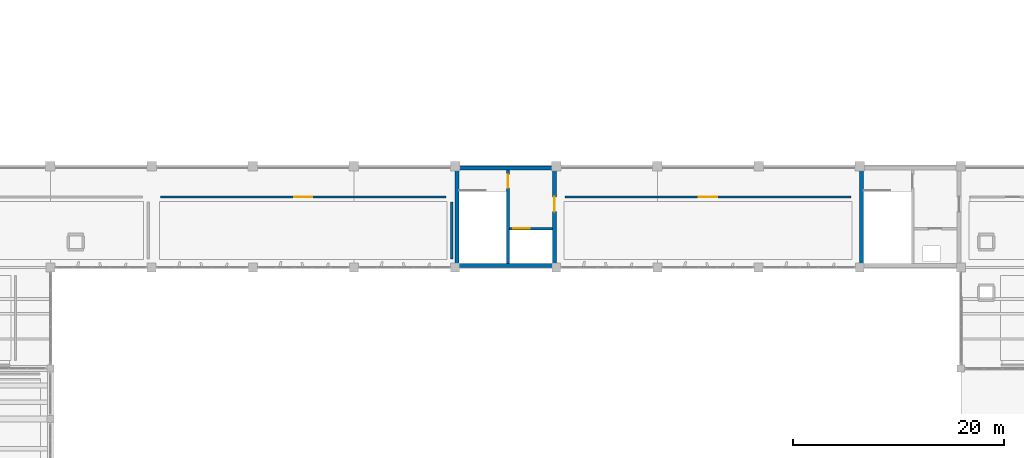
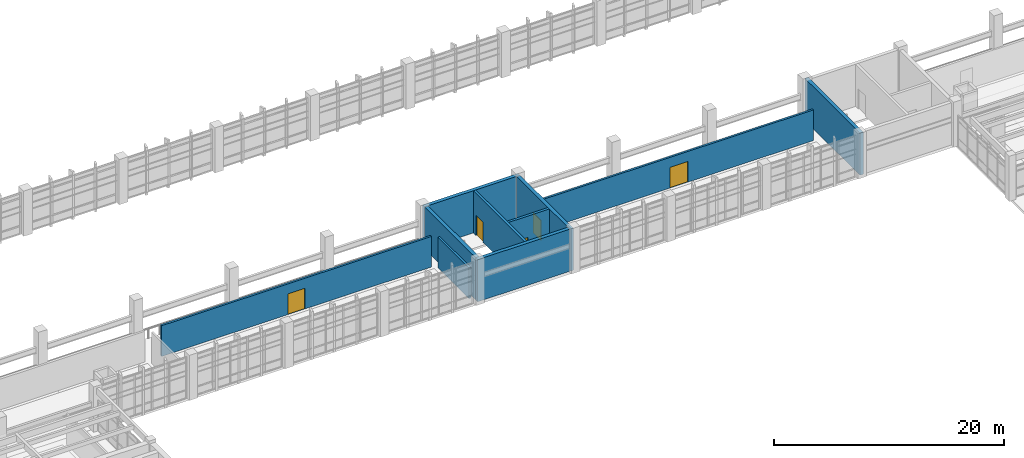
# One storey, part 69 of 86: 10 walls, 5 doors, 5 openings.
"""IFC4 building model written with IfcOpenShell, lengths in metres."""

from ifc_helpers import new_model, si_unit, direction, frame, frame_2d, origin, place, context, subcontext, project, spatial, rectangle, extrude, material, layer, layer_set, type_object, element, fill, save


model = new_model("IFC4")

# Units and contexts
model_context = context("Model", 3, precision=1e-05, world=origin(), true_north=direction((0.0, 1.0)))
body_context = subcontext(model_context, "Body", "Model", "MODEL_VIEW")
ifc_project = project(units=[si_unit("LENGTHUNIT", "METRE"), si_unit("AREAUNIT", "SQUARE_METRE"), si_unit("VOLUMEUNIT", "CUBIC_METRE"), si_unit("PLANEANGLEUNIT", "RADIAN"), si_unit("MASSUNIT", "GRAM", prefix="KILO")], contexts=[model_context])

# Site, building, storey
site_placement = place(None, origin())
site = spatial("IfcSite", under=ifc_project, at=site_placement, CompositionType="ELEMENT")
building_placement = place(site_placement, origin())
building = spatial("IfcBuilding", under=site, at=building_placement, Name="Kolvemor Railside Polytechnic", CompositionType="ELEMENT")
storey_placement = place(building_placement, frame((0.0, 0.0, 5.39990234375)))
storey = spatial("IfcBuildingStorey", under=building, at=storey_placement, Name="L01", CompositionType="ELEMENT", Elevation=5.39990234375)

# Walls
ifc_material_1 = material(Name="Concrete C40/50", Category="concrete")
ifc_layer_1 = layer(ifc_material_1, 0.35009765625, Name="WL-CORE-350")
ifc_layer_set_1 = layer_set([ifc_layer_1], Name="Concrete C40/50")
wall_type_1 = type_object("IfcWallType", Name="WL-CORE-350", PredefinedType="SHEAR", material=ifc_layer_set_1)
for number, where, z_axis, x_axis, name in (
    (1, (86.39990234375, 100.625, 0.0), (0.0, 0.0, 1.0), (1.0, 0.0, 0.0), "CORE-8 North Core Wall L01"),
    (2, (86.39990234375, 91.375, 0.0), (0.0, 0.0, 1.0), (1.0, 0.0, 0.0), "CORE-8 South Core Wall L01"),
    (3, (86.574951171875, 91.199951171875, 0.0), (0.0, 0.0, 1.0), (0.0, 1.0, 0.0), "CORE-8 West Core Wall L01"),
):
    element("IfcWall", number, at=place(storey_placement, frame(where, z_axis=z_axis, x_axis=x_axis)), inside=storey, type_object=wall_type_1, Name=name, PredefinedType="SHEAR", context=body_context, shape_type="SweptSolid", body=[
        extrude(rectangle(XDim=9.60009765625, YDim=0.35009765625, at=frame_2d((4.800048828125, 0.0))), origin(), (0.0, 0.0, 1.0), 4.47998046875),
    ])

# Wall, opening, door
wall_1_placement = place(storey_placement, frame((95.824951171875, 91.199951171875, 0.0), z_axis=(0.0, 0.0, 1.0), x_axis=(0.0, 1.0, 0.0)))
wall_1 = element("IfcWall", 4, at=wall_1_placement, inside=storey, type_object=wall_type_1, Name="CORE-8 East Core Wall L01", PredefinedType="SHEAR", context=body_context, shape_type="SweptSolid", body=[
    extrude(rectangle(XDim=9.60009765625, YDim=0.35009765625, at=frame_2d((4.800048828125, 0.0))), origin(), (0.0, 0.0, 1.0), 4.47998046875),
])
opening_1_placement = place(wall_1_placement, frame((5.300048828125, 0.0, 0.0)))
opening_1 = element("IfcOpeningElement", 5, at=opening_1_placement, cuts=wall_1, Name="Opening D-LOB-8-L01", PredefinedType="OPENING", context=body_context, shape_type="SweptSolid", body=[
    extrude(rectangle(XDim=1.39990234375, YDim=2.14990234375, at=frame_2d((0.699951171875, 1.074951171875))), frame((0.0, 0.18505859375, 0.0), z_axis=(0.0, -1.0, 0.0), x_axis=(1.0, 0.0, 0.0)), (0.0, 0.0, 1.0), 0.3701171875),
])
ifc_material_2 = material(Name="Fire-rated hardwood and brushed stainless-steel door", Category="steel")
door_type_1 = type_object("IfcDoorType", Name="DR-FD60-140x215", OperationType="NOTDEFINED", PredefinedType="DOOR", material=ifc_material_2)
door_1_placement = place(opening_1_placement, origin())
door_1 = element("IfcDoor", 6, at=door_1_placement, inside=storey, type_object=door_type_1, Name="Core Lobby Fire Door CORE-8 L01", OperationType="SINGLE_SWING_RIGHT", OverallHeight=2.14990234375, OverallWidth=1.39990234375, PredefinedType="DOOR", context=body_context, shape_type="SweptSolid", body=[
    extrude(rectangle(XDim=1.39990234375, YDim=2.14990234375, at=frame_2d((0.699951171875, 1.074951171875))), frame((0.0, 0.02490234375, 0.0), z_axis=(0.0, -1.0, 0.0), x_axis=(1.0, 0.0, 0.0)), (0.0, 0.0, 1.0), 0.050048828125),
])
fill(opening_1, door_1)

# Wall
wall_2_placement = place(storey_placement, frame((124.97509765625, 91.199951171875, 0.0), z_axis=(0.0, 0.0, 1.0), x_axis=(0.0, 1.0, 0.0)))
element("IfcWall", 7, at=wall_2_placement, inside=storey, type_object=wall_type_1, Name="CORE-9 West Core Wall L01", PredefinedType="SHEAR", context=body_context, shape_type="SweptSolid", body=[
    extrude(rectangle(XDim=9.60009765625, YDim=0.35009765625, at=frame_2d((4.800048828125, 0.0))), origin(), (0.0, 0.0, 1.0), 4.47998046875),
])

# Wall, opening, door
ifc_material_3 = material(Name="Acoustic concrete blockwork and gypsum", Category="masonry")
ifc_layer_2 = layer(ifc_material_3, 0.199951171875, Name="WL-PART-200")
ifc_layer_set_2 = layer_set([ifc_layer_2], Name="Acoustic concrete blockwork and gypsum")
wall_type_2 = type_object("IfcWallType", Name="WL-PART-200", PredefinedType="PARTITIONING", material=ifc_layer_set_2)
wall_3_placement = place(storey_placement, frame((58.449951171875, 97.8798828125, 0.0), z_axis=(0.0, 0.0, 1.0), x_axis=(1.0, 0.0, 0.0)))
wall_3 = element("IfcWall", 8, at=wall_3_placement, inside=storey, type_object=wall_type_2, Name="Partition Wall L01-0079", PredefinedType="PARTITIONING", context=body_context, shape_type="SweptSolid", body=[
    extrude(rectangle(XDim=27.10009765625, YDim=0.199951171875, at=frame_2d((13.550048828125, 0.0))), origin(), (0.0, 0.0, 1.0), 3.260009765625),
])
opening_2_placement = place(wall_3_placement, frame((12.699951171875, 0.0, 0.0)))
opening_2 = element("IfcOpeningElement", 9, at=opening_2_placement, cuts=wall_3, Name="Opening D-01045", PredefinedType="OPENING", context=body_context, shape_type="SweptSolid", body=[
    extrude(rectangle(XDim=1.699951171875, YDim=2.199951171875, at=frame_2d((0.85009765625, 1.10009765625))), frame((0.0, 0.10986328125, 0.0), z_axis=(0.0, -1.0, 0.0), x_axis=(1.0, 0.0, 0.0)), (0.0, 0.0, 1.0), 0.219970703125),
])
ifc_material_4 = material(Name="Fire-rated hardwood and brushed stainless-steel door", Category="steel")
door_type_2 = type_object("IfcDoorType", Name="DR-WKS-170x220", OperationType="NOTDEFINED", PredefinedType="DOOR", material=ifc_material_4)
door_2_placement = place(opening_2_placement, origin())
door_2 = element("IfcDoor", 10, at=door_2_placement, inside=storey, type_object=door_type_2, Name="Room Door D-01045 (CNC Precision Tooling Engineering Workshop)", OperationType="SINGLE_SWING_RIGHT", OverallHeight=2.199951171875, OverallWidth=1.699951171875, PredefinedType="DOOR", context=body_context, shape_type="SweptSolid", body=[
    extrude(rectangle(XDim=1.699951171875, YDim=2.199951171875, at=frame_2d((0.85009765625, 1.10009765625))), frame((0.0, 0.02490234375, 0.0), z_axis=(0.0, -1.0, 0.0), x_axis=(1.0, 0.0, 0.0)), (0.0, 0.0, 1.0), 0.050048828125),
])
fill(opening_2, door_2)

# Wall
wall_4_placement = place(storey_placement, frame((86.080078125, 92.0, 0.0), z_axis=(0.0, 0.0, 1.0), x_axis=(0.0, 1.0, 0.0)))
element("IfcWall", 11, at=wall_4_placement, inside=storey, type_object=wall_type_2, Name="Demising Partition L01-0080", PredefinedType="PARTITIONING", context=body_context, shape_type="SweptSolid", body=[
    extrude(rectangle(XDim=5.39990234375, YDim=0.199951171875, at=frame_2d((2.699951171875, 0.0))), origin(), (0.0, 0.0, 1.0), 3.260009765625),
])

# Wall, opening, door
wall_5_placement = place(storey_placement, frame((96.85009765625, 97.8798828125, 0.0), z_axis=(0.0, 0.0, 1.0), x_axis=(1.0, 0.0, 0.0)))
wall_5 = element("IfcWall", 12, at=wall_5_placement, inside=storey, type_object=wall_type_2, Name="Partition Wall L01-0081", PredefinedType="PARTITIONING", context=body_context, shape_type="SweptSolid", body=[
    extrude(rectangle(XDim=27.099853515625, YDim=0.199951171875, at=frame_2d((13.5498046875, 0.0))), origin(), (0.0, 0.0, 1.0), 3.260009765625),
])
opening_3_placement = place(wall_5_placement, frame((12.64990234375, 0.0, 0.0)))
opening_3 = element("IfcOpeningElement", 13, at=opening_3_placement, cuts=wall_5, Name="Opening D-01046", PredefinedType="OPENING", context=body_context, shape_type="SweptSolid", body=[
    extrude(rectangle(XDim=1.800048828125, YDim=2.199951171875, at=frame_2d((0.89990234375, 1.10009765625))), frame((0.0, 0.10986328125, 0.0), z_axis=(0.0, -1.0, 0.0), x_axis=(1.0, 0.0, 0.0)), (0.0, 0.0, 1.0), 0.219970703125),
])
ifc_material_5 = material(Name="Fire-rated hardwood and brushed stainless-steel door", Category="steel")
door_type_3 = type_object("IfcDoorType", Name="DR-WKS-180x220", OperationType="NOTDEFINED", PredefinedType="DOOR", material=ifc_material_5)
door_3_placement = place(opening_3_placement, origin())
door_3 = element("IfcDoor", 14, at=door_3_placement, inside=storey, type_object=door_type_3, Name="Room Door D-01046 (Marine Composites Engineering Workshop)", OperationType="SINGLE_SWING_LEFT", OverallHeight=2.199951171875, OverallWidth=1.800048828125, PredefinedType="DOOR", context=body_context, shape_type="SweptSolid", body=[
    extrude(rectangle(XDim=1.800048828125, YDim=2.199951171875, at=frame_2d((0.89990234375, 1.10009765625))), frame((0.0, 0.02490234375, 0.0), z_axis=(0.0, -1.0, 0.0), x_axis=(1.0, 0.0, 0.0)), (0.0, 0.0, 1.0), 0.050048828125),
])
fill(opening_3, door_3)

ifc_material_6 = material(Name="Concrete C40/50", Category="concrete")
ifc_layer_3 = layer(ifc_material_6, 0.25, Name="WL-SHFT-250")
ifc_layer_set_3 = layer_set([ifc_layer_3], Name="Concrete C40/50")
wall_type_3 = type_object("IfcWallType", Name="WL-SHFT-250", PredefinedType="SHEAR", material=ifc_layer_set_3)
wall_6_placement = place(storey_placement, frame((91.425048828125, 100.449951171875, 0.0), z_axis=(0.0, 0.0, 1.0), x_axis=(0.0, -1.0, 0.0)))
wall_6 = element("IfcWall", 15, at=wall_6_placement, inside=storey, type_object=wall_type_3, Name="CORE-8 Stair-Lobby Divider Wall L01", PredefinedType="SHEAR", context=body_context, shape_type="SweptSolid", body=[
    extrude(rectangle(XDim=8.89990234375, YDim=0.25, at=frame_2d((4.449951171875, 0.0))), origin(), (0.0, 0.0, 1.0), 4.47998046875),
])
opening_4_placement = place(wall_6_placement, frame((0.449951171875, 0.0, 0.0)))
opening_4 = element("IfcOpeningElement", 16, at=opening_4_placement, cuts=wall_6, Name="Opening D-ST-8-L01", PredefinedType="OPENING", context=body_context, shape_type="SweptSolid", body=[
    extrude(rectangle(XDim=1.25, YDim=2.14990234375, at=frame_2d((0.625, 1.074951171875))), frame((0.0, 0.135009765625, 0.0), z_axis=(0.0, -1.0, 0.0), x_axis=(1.0, 0.0, 0.0)), (0.0, 0.0, 1.0), 0.27001953125),
])
ifc_material_7 = material(Name="Fire-rated hardwood and brushed stainless-steel door", Category="steel")
door_type_4 = type_object("IfcDoorType", Name="DR-FD90-125x215", OperationType="NOTDEFINED", PredefinedType="DOOR", material=ifc_material_7)
door_4_placement = place(opening_4_placement, origin())
door_4 = element("IfcDoor", 17, at=door_4_placement, inside=storey, type_object=door_type_4, Name="Stair Fire Door ST-8 L01", OperationType="SINGLE_SWING_RIGHT", OverallHeight=2.14990234375, OverallWidth=1.25, PredefinedType="DOOR", context=body_context, shape_type="SweptSolid", body=[
    extrude(rectangle(XDim=1.25, YDim=2.14990234375, at=frame_2d((0.625, 1.074951171875))), frame((0.0, 0.02490234375, 0.0), z_axis=(0.0, -1.0, 0.0), x_axis=(1.0, 0.0, 0.0)), (0.0, 0.0, 1.0), 0.050048828125),
])
fill(opening_4, door_4)

wall_7_placement = place(storey_placement, frame((91.550048828125, 94.875, 0.0), z_axis=(0.0, 0.0, 1.0), x_axis=(1.0, 0.0, 0.0)))
wall_7 = element("IfcWall", 18, at=wall_7_placement, inside=storey, type_object=wall_type_3, Name="CORE-8 Lift Shaft Front Wall L01", PredefinedType="SHEAR", context=body_context, shape_type="SweptSolid", body=[
    extrude(rectangle(XDim=4.099853515625, YDim=0.25, at=frame_2d((2.0498046875, 0.0))), origin(), (0.0, 0.0, 1.0), 4.47998046875),
])
opening_5_placement = place(wall_7_placement, frame((0.35009765625, 0.0, 0.0)))
opening_5 = element("IfcOpeningElement", 19, at=opening_5_placement, cuts=wall_7, Name="Opening LD-GL-1-L01", PredefinedType="OPENING", context=body_context, shape_type="SweptSolid", body=[
    extrude(rectangle(XDim=1.60009765625, YDim=2.199951171875, at=frame_2d((0.800048828125, 1.10009765625))), frame((0.0, 0.135009765625, 0.0), z_axis=(0.0, -1.0, 0.0), x_axis=(1.0, 0.0, 0.0)), (0.0, 0.0, 1.0), 0.27001953125),
])
ifc_material_8 = material(Name="Fire-rated hardwood and brushed stainless-steel door", Category="steel")
door_type_5 = type_object("IfcDoorType", Name="DR-LIFT-160x220", OperationType="SLIDING_TO_LEFT", PredefinedType="DOOR", material=ifc_material_8)
door_5_placement = place(opening_5_placement, origin())
door_5 = element("IfcDoor", 20, at=door_5_placement, inside=storey, type_object=door_type_5, Name="Lift Landing Sliding Door GL-1 L01", OperationType="SLIDING_TO_LEFT", OverallHeight=2.199951171875, OverallWidth=1.60009765625, PredefinedType="DOOR", context=body_context, shape_type="SweptSolid", body=[
    extrude(rectangle(XDim=1.60009765625, YDim=2.199951171875, at=frame_2d((0.800048828125, 1.10009765625))), frame((0.0, 0.02490234375, 0.0), z_axis=(0.0, -1.0, 0.0), x_axis=(1.0, 0.0, 0.0)), (0.0, 0.0, 1.0), 0.050048828125),
])
fill(opening_5, door_5)

save(model, "model.ifc")
